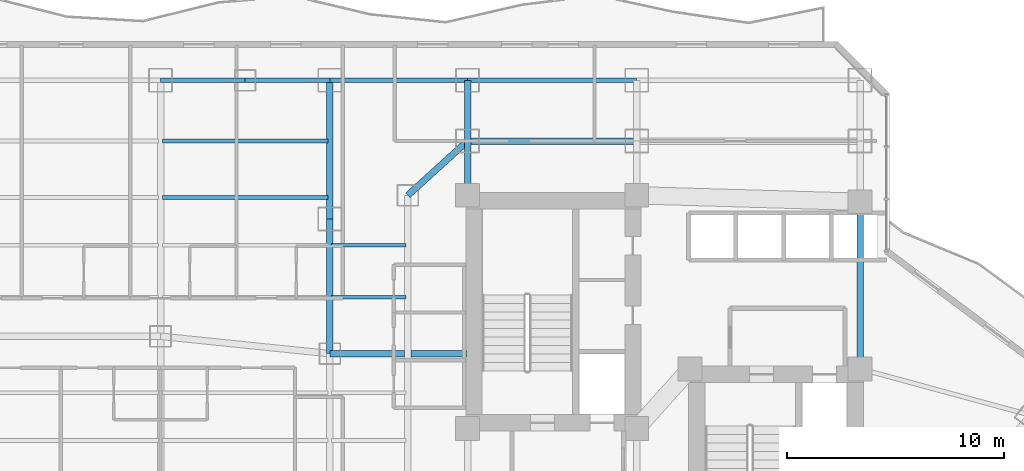
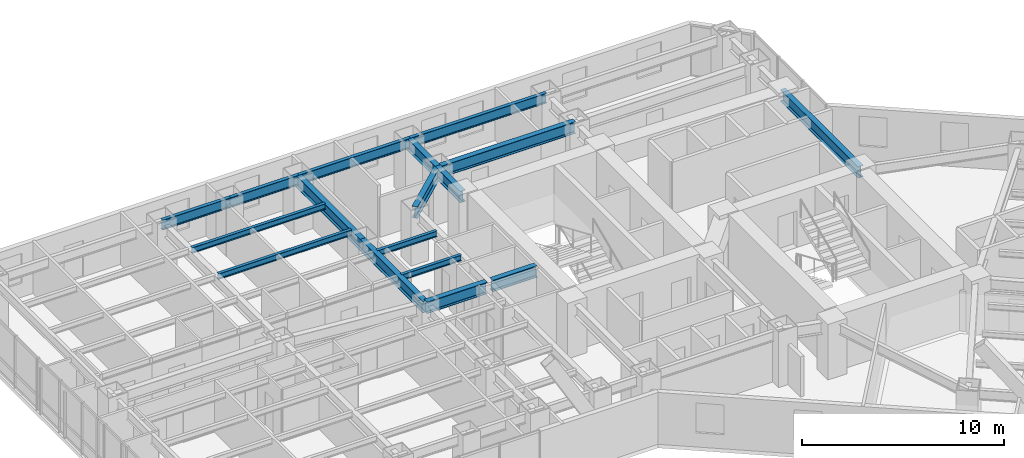
# One storey, part 17 of 32: 17 beams.
"""IFC4 building model written with IfcOpenShell, lengths in metres."""

from ifc_helpers import new_model, si_unit, direction, frame, origin, origin_2d, place, context, subcontext, project, spatial, i_section, extrude, material, material_profile, profile_set, type_object, element, save


model = new_model("IFC4")

# Units and contexts
model_context = context("Model", 3, precision=1e-05, world=origin(), true_north=direction((0.0, 1.0)))
body_context = subcontext(model_context, "Body", "Model", "MODEL_VIEW")
ifc_project = project(units=[si_unit("LENGTHUNIT", "METRE"), si_unit("AREAUNIT", "SQUARE_METRE"), si_unit("VOLUMEUNIT", "CUBIC_METRE"), si_unit("PLANEANGLEUNIT", "RADIAN"), si_unit("MASSUNIT", "GRAM", prefix="KILO")], contexts=[model_context])

# Site, building, storey
site_placement = place(None, origin())
site = spatial("IfcSite", under=ifc_project, at=site_placement, CompositionType="ELEMENT")
building_placement = place(site_placement, origin())
building = spatial("IfcBuilding", under=site, at=building_placement, Name="Hatsunagi Terrace Concourse", CompositionType="ELEMENT")
storey_placement = place(building_placement, frame((0.0, 0.0, 46.64990234375)))
storey = spatial("IfcBuildingStorey", under=building, at=storey_placement, Name="L11", CompositionType="ELEMENT", Elevation=46.64990234375)

# Beams
ifc_material_1 = material(Name="Steel SN490B", Category="steel")
ifc_material_profile_1 = material_profile(ifc_material_1, i_section(OverallWidth=0.300048828125, OverallDepth=0.699951171875, WebThickness=0.012939453125, FlangeThickness=0.02392578125, FilletRadius=0.02197265625, at=origin_2d()), Name="H-700x300x13x24")
ifc_profile_set_1 = profile_set([ifc_material_profile_1], Name="Steel SN490B")
beam_type_1 = type_object("IfcBeamType", Name="HotelFloorGirder_H_700x300", PredefinedType="BEAM", material=ifc_profile_set_1)
beam_1_placement = place(storey_placement, frame((43.64990234375, 35.300048828125, 2.780029296875), z_axis=(0.0, 1.0, 0.0), x_axis=(-1.0, 0.0, 0.0)))
element("IfcBeam", 1, at=beam_1_placement, inside=storey, type_object=beam_type_1, Name="Beam G-04 BM-L11-CBK3", PredefinedType="BEAM", context=body_context, shape_type="SweptSolid", body=[
    extrude(i_section(OverallWidth=0.300048828125, OverallDepth=0.699951171875, WebThickness=0.012939453125, FlangeThickness=0.02392578125, FilletRadius=0.02197265625, at=origin_2d()), origin(), (0.0, 0.0, 1.0), 7.699951171875),
])
beam_2_placement = place(storey_placement, frame((25.550048828125, 43.300048828125, 2.780029296875), z_axis=(0.0, 1.0, 0.0), x_axis=(-1.0, 0.0, 0.0)))
element("IfcBeam", 2, at=beam_2_placement, inside=storey, type_object=beam_type_1, Name="Beam G-04 BM-L11-CN1", PredefinedType="BEAM", context=body_context, shape_type="SweptSolid", body=[
    extrude(i_section(OverallWidth=0.300048828125, OverallDepth=0.699951171875, WebThickness=0.012939453125, FlangeThickness=0.02392578125, FilletRadius=0.02197265625, at=origin_2d()), origin(), (0.0, 0.0, 1.0), 2.5),
])
beam_3_placement = place(storey_placement, frame((25.550048828125, 45.800048828125, 2.780029296875), z_axis=(1.0, 0.0, 0.0), x_axis=(0.0, 1.0, 0.0)))
element("IfcBeam", 3, at=beam_3_placement, inside=storey, type_object=beam_type_1, Name="Beam G-04 BM-L11-CNEW1", PredefinedType="BEAM", context=body_context, shape_type="SweptSolid", body=[
    extrude(i_section(OverallWidth=0.300048828125, OverallDepth=0.699951171875, WebThickness=0.012939453125, FlangeThickness=0.02392578125, FilletRadius=0.02197265625, at=origin_2d()), origin(), (0.0, 0.0, 1.0), 7.800048828125),
])
beam_4_placement = place(storey_placement, frame((25.550048828125, 45.800048828125, 2.780029296875), z_axis=(0.0, 1.0, 0.0), x_axis=(-1.0, 0.0, 0.0)))
element("IfcBeam", 4, at=beam_4_placement, inside=storey, type_object=beam_type_1, Name="Beam G-04 BM-L11-KN-WN4", PredefinedType="BEAM", context=body_context, shape_type="SweptSolid", body=[
    extrude(i_section(OverallWidth=0.300048828125, OverallDepth=0.699951171875, WebThickness=0.012939453125, FlangeThickness=0.02392578125, FilletRadius=0.02197265625, at=origin_2d()), origin(), (0.0, 0.0, 1.0), 2.800048828125),
])
beam_5_placement = place(storey_placement, frame((22.800048828125, 43.300048828125, 2.780029296875), z_axis=(0.739940073396, 0.672672793996, 0.0), x_axis=(-0.672672793996, 0.739940073396, 0.0)))
element("IfcBeam", 5, at=beam_5_placement, inside=storey, type_object=beam_type_1, Name="Beam G-04 BM-L11-CWEW-N", PredefinedType="BEAM", context=body_context, shape_type="SweptSolid", body=[
    extrude(i_section(OverallWidth=0.300048828125, OverallDepth=0.699951171875, WebThickness=0.012939453125, FlangeThickness=0.02392578125, FilletRadius=0.02197265625, at=origin_2d()), origin(), (0.0, 0.0, 1.0), 3.716552734375),
])
beam_6_placement = place(storey_placement, frame((19.199951171875, 36.0, 2.780029296875), z_axis=(0.0, 1.0, 0.0), x_axis=(-1.0, 0.0, 0.0)))
element("IfcBeam", 6, at=beam_6_placement, inside=storey, type_object=beam_type_1, Name="Beam G-04 BM-L11-NS-19-36", PredefinedType="BEAM", context=body_context, shape_type="SweptSolid", body=[
    extrude(i_section(OverallWidth=0.300048828125, OverallDepth=0.699951171875, WebThickness=0.012939453125, FlangeThickness=0.02392578125, FilletRadius=0.02197265625, at=origin_2d()), origin(), (0.0, 0.0, 1.0), 6.199951171875),
])
beam_7_placement = place(storey_placement, frame((19.199951171875, 42.199951171875, 2.780029296875), z_axis=(0.0, 1.0, 0.0), x_axis=(-1.0, 0.0, 0.0)))
element("IfcBeam", 7, at=beam_7_placement, inside=storey, type_object=beam_type_1, Name="Beam G-04 BM-L11-NS-19-42", PredefinedType="BEAM", context=body_context, shape_type="SweptSolid", body=[
    extrude(i_section(OverallWidth=0.300048828125, OverallDepth=0.699951171875, WebThickness=0.012939453125, FlangeThickness=0.02392578125, FilletRadius=0.02197265625, at=origin_2d()), origin(), (0.0, 0.0, 1.0), 6.400146484375),
])
beam_8_placement = place(storey_placement, frame((19.199951171875, 36.0, 2.780029296875), z_axis=(1.0, 0.0, 0.0), x_axis=(0.0, 1.0, 0.0)))
element("IfcBeam", 8, at=beam_8_placement, inside=storey, type_object=beam_type_1, Name="Beam G-04 BM-L11-EW-3", PredefinedType="BEAM", context=body_context, shape_type="SweptSolid", body=[
    extrude(i_section(OverallWidth=0.300048828125, OverallDepth=0.699951171875, WebThickness=0.012939453125, FlangeThickness=0.02392578125, FilletRadius=0.02197265625, at=origin_2d()), origin(), (0.0, 0.0, 1.0), 3.449951171875),
])
beam_9_placement = place(storey_placement, frame((22.949951171875, 36.0, 2.780029296875), z_axis=(1.0, 0.0, 0.0), x_axis=(0.0, 1.0, 0.0)))
element("IfcBeam", 9, at=beam_9_placement, inside=storey, type_object=beam_type_1, Name="Beam G-04 BM-L11-EW-4", PredefinedType="BEAM", context=body_context, shape_type="SweptSolid", body=[
    extrude(i_section(OverallWidth=0.300048828125, OverallDepth=0.699951171875, WebThickness=0.012939453125, FlangeThickness=0.02392578125, FilletRadius=0.02197265625, at=origin_2d()), origin(), (0.0, 0.0, 1.0), 2.56005859375),
])
ifc_material_2 = material(Name="Steel SN490B", Category="steel")
ifc_material_profile_2 = material_profile(ifc_material_2, i_section(OverallWidth=0.175048828125, OverallDepth=0.35009765625, WebThickness=0.007080078125, FlangeThickness=0.010986328125, FilletRadius=0.012939453125, at=origin_2d()), Name="H-350x175x7x11")
ifc_profile_set_2 = profile_set([ifc_material_profile_2], Name="Steel SN490B")
beam_type_2 = type_object("IfcBeamType", Name="HotelJoist_H_350x175", PredefinedType="JOIST", material=ifc_profile_set_2)
for number, where, z_axis, x_axis, name in (
    (10, (19.284912109375, 38.60009765625, 2.955078125), (1.0, 0.0, 0.0), (0.0, 1.0, 0.0), "Beam J-02 J-L11-W-19-386"),
    (11, (19.284912109375, 41.0, 2.955078125), (1.0, 0.0, 0.0), (0.0, 1.0, 0.0), "Beam J-02 J-L11-W-19-410"),
):
    element("IfcBeam", number, at=place(storey_placement, frame(where, z_axis=z_axis, x_axis=x_axis)), inside=storey, type_object=beam_type_2, Name=name, PredefinedType="JOIST", context=body_context, shape_type="SweptSolid", body=[
        extrude(i_section(OverallWidth=0.175048828125, OverallDepth=0.35009765625, WebThickness=0.007080078125, FlangeThickness=0.010986328125, FilletRadius=0.012939453125, at=origin_2d()), origin(), (0.0, 0.0, 1.0), 3.43017578125),
    ])
for number, where, z_axis, x_axis, name in (
    (12, (11.485107421875, 43.199951171875, 2.955078125), (1.0, 0.0, 0.0), (0.0, 1.0, 0.0), "Beam J-02 J-L11-W-11-432"),
    (13, (11.485107421875, 45.800048828125, 2.955078125), (1.0, 0.0, 0.0), (0.0, 1.0, 0.0), "Beam J-02 J-L11-W-11-458"),
):
    element("IfcBeam", number, at=place(storey_placement, frame(where, z_axis=z_axis, x_axis=x_axis)), inside=storey, type_object=beam_type_2, Name=name, PredefinedType="JOIST", context=body_context, shape_type="SweptSolid", body=[
        extrude(i_section(OverallWidth=0.175048828125, OverallDepth=0.35009765625, WebThickness=0.007080078125, FlangeThickness=0.010986328125, FilletRadius=0.012939453125, at=origin_2d()), origin(), (0.0, 0.0, 1.0), 7.6298828125),
    ])
ifc_material_3 = material(Name="Steel SN490B", Category="steel")
ifc_material_profile_3 = material_profile(ifc_material_3, i_section(OverallWidth=0.199951171875, OverallDepth=0.60009765625, WebThickness=0.010986328125, FlangeThickness=0.01708984375, FilletRadius=0.01806640625, at=origin_2d()), Name="H-600x200x11x17")
ifc_profile_set_3 = profile_set([ifc_material_profile_3], Name="Steel SN490B")
beam_type_3 = type_object("IfcBeamType", Name="PerimeterSpandrel_H_600x200", PredefinedType="SPANDREL", material=ifc_profile_set_3)
beam_10_placement = place(storey_placement, frame((11.39990234375, 48.60009765625, 2.830078125), z_axis=(1.0, 0.0, 0.0), x_axis=(0.0, 1.0, 0.0)))
element("IfcBeam", 14, at=beam_10_placement, inside=storey, type_object=beam_type_3, Name="Beam SP-01 BM-L11-WN-11", PredefinedType="SPANDREL", context=body_context, shape_type="SweptSolid", body=[
    extrude(i_section(OverallWidth=0.199951171875, OverallDepth=0.60009765625, WebThickness=0.010986328125, FlangeThickness=0.01708984375, FilletRadius=0.01806640625, at=origin_2d()), origin(), (0.0, 0.0, 1.0), 3.900146484375),
])
beam_11_placement = place(storey_placement, frame((15.300048828125, 48.60009765625, 2.830078125), z_axis=(1.0, 0.0, 0.0), x_axis=(0.0, 1.0, 0.0)))
element("IfcBeam", 15, at=beam_11_placement, inside=storey, type_object=beam_type_3, Name="Beam SP-01 BM-L11-WN-15", PredefinedType="SPANDREL", context=body_context, shape_type="SweptSolid", body=[
    extrude(i_section(OverallWidth=0.199951171875, OverallDepth=0.60009765625, WebThickness=0.010986328125, FlangeThickness=0.01708984375, FilletRadius=0.01806640625, at=origin_2d()), origin(), (0.0, 0.0, 1.0), 3.89990234375),
])
beam_12_placement = place(storey_placement, frame((19.199951171875, 48.60009765625, 2.830078125), z_axis=(1.0, 0.0, 0.0), x_axis=(0.0, 1.0, 0.0)))
element("IfcBeam", 16, at=beam_12_placement, inside=storey, type_object=beam_type_3, Name="Beam SP-01 BM-L11-WN-19", PredefinedType="SPANDREL", context=body_context, shape_type="SweptSolid", body=[
    extrude(i_section(OverallWidth=0.199951171875, OverallDepth=0.60009765625, WebThickness=0.010986328125, FlangeThickness=0.01708984375, FilletRadius=0.01806640625, at=origin_2d()), origin(), (0.0, 0.0, 1.0), 6.35009765625),
])
beam_13_placement = place(storey_placement, frame((25.550048828125, 48.60009765625, 2.830078125), z_axis=(1.0, 0.0, 0.0), x_axis=(0.0, 1.0, 0.0)))
element("IfcBeam", 17, at=beam_13_placement, inside=storey, type_object=beam_type_3, Name="Beam SP-01 BM-L11-WN-25", PredefinedType="SPANDREL", context=body_context, shape_type="SweptSolid", body=[
    extrude(i_section(OverallWidth=0.199951171875, OverallDepth=0.60009765625, WebThickness=0.010986328125, FlangeThickness=0.01708984375, FilletRadius=0.01806640625, at=origin_2d()), origin(), (0.0, 0.0, 1.0), 7.800048828125),
])

save(model, "model.ifc")
